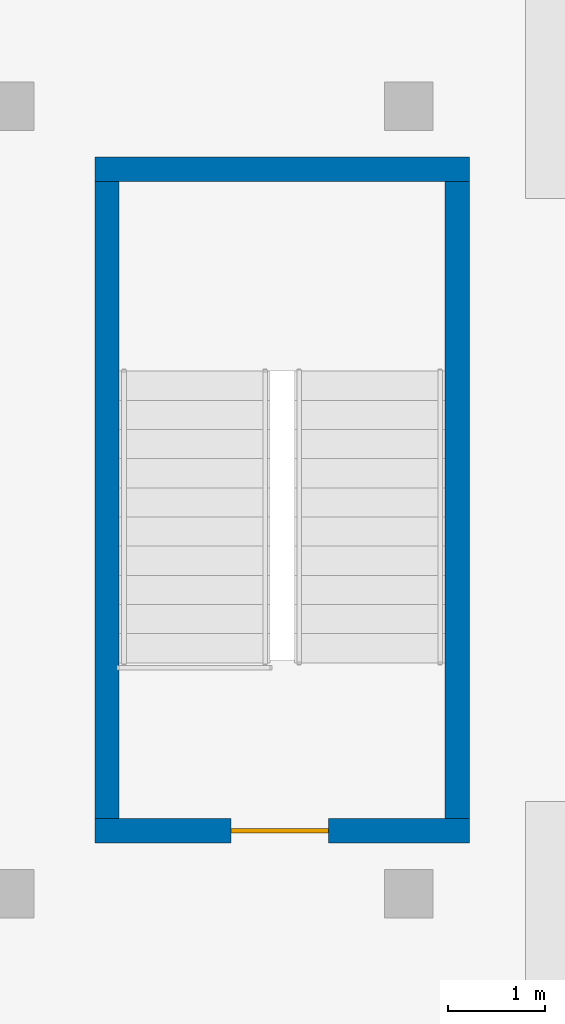
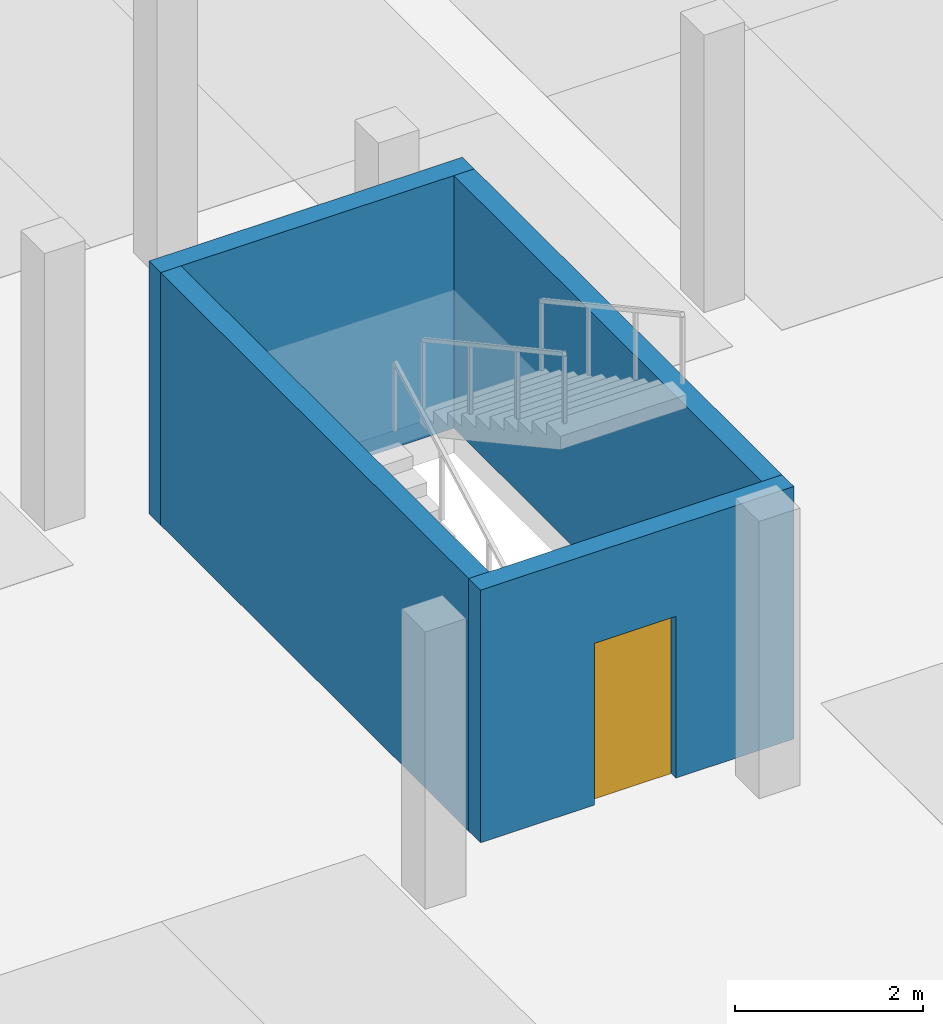
# One storey, part 11 of 14: 4 walls, 1 door, 1 opening.
"""IFC4 building model written with IfcOpenShell, lengths in metres."""

from ifc_helpers import new_model, si_unit, direction, frame, frame_2d, origin, place, context, subcontext, project, spatial, rectangle, extrude, material, layer, layer_set, type_object, element, fill, save


model = new_model("IFC4")

# Units and contexts
model_context = context("Model", 3, precision=1e-05, world=origin(), true_north=direction((0.0, 1.0)))
body_context = subcontext(model_context, "Body", "Model", "MODEL_VIEW")
ifc_project = project(units=[si_unit("LENGTHUNIT", "METRE"), si_unit("AREAUNIT", "SQUARE_METRE"), si_unit("VOLUMEUNIT", "CUBIC_METRE"), si_unit("PLANEANGLEUNIT", "RADIAN"), si_unit("MASSUNIT", "GRAM", prefix="KILO")], contexts=[model_context])

# Site, building, storey
site_placement = place(None, origin())
site = spatial("IfcSite", under=ifc_project, at=site_placement, CompositionType="ELEMENT")
building_placement = place(site_placement, origin())
building = spatial("IfcBuilding", under=site, at=building_placement, Name="Torre Triforio", CompositionType="ELEMENT")
storey_placement = place(building_placement, frame((0.0, 0.0, -7.199951171875)))
storey = spatial("IfcBuildingStorey", under=building, at=storey_placement, Name="B2", CompositionType="ELEMENT", Elevation=-7.199951171875)

# Wall, opening, door
ifc_material_1 = material(Name="Concrete C40", Category="concrete")
ifc_layer = layer(ifc_material_1, 0.25)
ifc_layer_set = layer_set([ifc_layer], Name="Concrete C40")
wall_type = type_object("IfcWallType", Name="Stair enclosure wall 250 EI 120", PredefinedType="STANDARD", material=ifc_layer_set)
wall_1_placement = place(storey_placement, frame((73.77490234375, 24.949951171875, 0.0), z_axis=(0.0, 0.0, 1.0), x_axis=(1.0, 0.0, 0.0)))
wall_1 = element("IfcWall", 1, at=wall_1_placement, inside=storey, type_object=wall_type, Name="Stair enclosure wall B2 013", PredefinedType="STANDARD", context=body_context, shape_type="SweptSolid", body=[
    extrude(rectangle(XDim=3.85009765625, YDim=0.25, at=frame_2d((1.925048828125, 0.0))), origin(), (0.0, 0.0, 1.0), 3.280029296875),
])
opening_placement = place(wall_1_placement, frame((1.39990234375, 0.0, 0.0)))
opening = element("IfcOpeningElement", 2, at=opening_placement, cuts=wall_1, Name="Opening BS2-04", PredefinedType="OPENING", context=body_context, shape_type="SweptSolid", body=[
    extrude(rectangle(XDim=1.0, YDim=2.10009765625, at=frame_2d((0.5, 1.050048828125))), frame((0.0, 0.135009765625, 0.0), z_axis=(0.0, -1.0, 0.0), x_axis=(1.0, 0.0, 0.0)), (0.0, 0.0, 1.0), 0.27001953125),
])
ifc_material_2 = material(Name="Hollow metal fire door leaf")
door_type = type_object("IfcDoorType", Name="Stair door 1000 x 2100 EI 90", OperationType="NOTDEFINED", PredefinedType="DOOR", material=ifc_material_2)
door_placement = place(opening_placement, origin())
door = element("IfcDoor", 3, at=door_placement, inside=storey, type_object=door_type, Name="Door BS2-04", OperationType="SINGLE_SWING_LEFT", OverallHeight=2.10009765625, OverallWidth=1.0, PredefinedType="DOOR", context=body_context, shape_type="SweptSolid", body=[
    extrude(rectangle(XDim=1.0, YDim=2.10009765625, at=frame_2d((0.5, 1.050048828125))), frame((0.0, 0.02490234375, 0.0), z_axis=(0.0, -1.0, 0.0), x_axis=(1.0, 0.0, 0.0)), (0.0, 0.0, 1.0), 0.050048828125),
])
fill(opening, door)

# Walls
wall_2_placement = place(storey_placement, frame((73.77490234375, 31.75, 0.0), z_axis=(0.0, 0.0, 1.0), x_axis=(1.0, 0.0, 0.0)))
element("IfcWall", 4, at=wall_2_placement, inside=storey, type_object=wall_type, Name="Stair enclosure wall B2 014", PredefinedType="STANDARD", context=body_context, shape_type="SweptSolid", body=[
    extrude(rectangle(XDim=3.85009765625, YDim=0.25, at=frame_2d((1.925048828125, 0.0))), origin(), (0.0, 0.0, 1.0), 3.280029296875),
])
for number, where, z_axis, x_axis, name in (
    (5, (73.89990234375, 25.074951171875, 0.0), (0.0, 0.0, 1.0), (0.0, 1.0, 0.0), "Stair enclosure wall B2 015"),
    (6, (77.5, 25.074951171875, 0.0), (0.0, 0.0, 1.0), (0.0, 1.0, 0.0), "Stair enclosure wall B2 016"),
):
    element("IfcWall", number, at=place(storey_placement, frame(where, z_axis=z_axis, x_axis=x_axis)), inside=storey, type_object=wall_type, Name=name, PredefinedType="STANDARD", context=body_context, shape_type="SweptSolid", body=[
        extrude(rectangle(XDim=6.550048828125, YDim=0.25, at=frame_2d((3.27490234375, 0.0))), origin(), (0.0, 0.0, 1.0), 3.280029296875),
    ])

save(model, "model.ifc")
